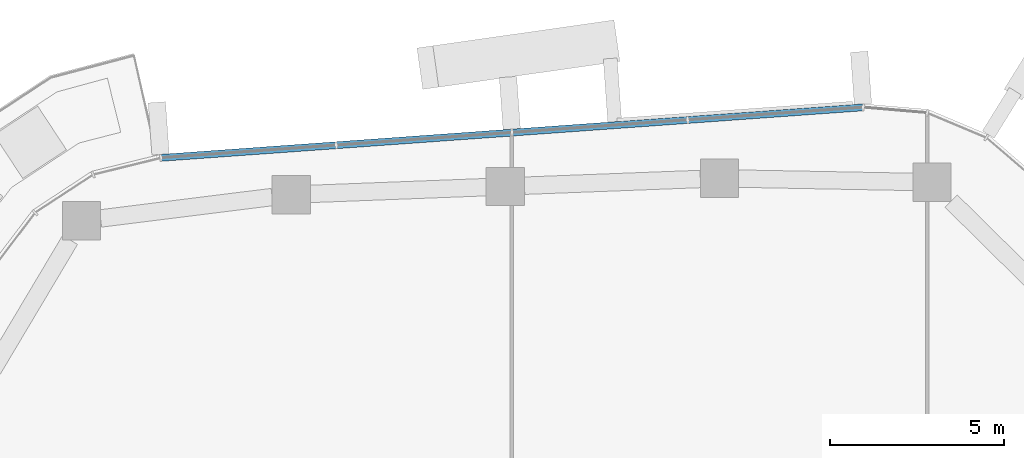
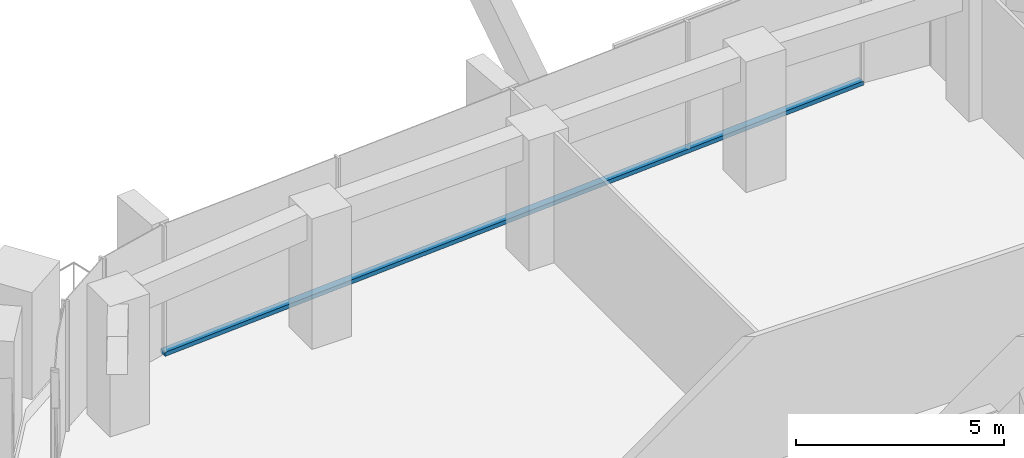
# One storey, part 7 of 20: 1 member, 1 element without a shape of its own.
"""IFC4 building model written with IfcOpenShell, lengths in metres."""

from ifc_helpers import new_model, si_unit, direction, frame, origin, origin_2d, place, context, subcontext, project, spatial, rectangle, extrude, material, layer, layer_set, material_profile, profile_set, type_object, element, aggregate, save


model = new_model("IFC4")

# Units and contexts
model_context = context("Model", 3, precision=1e-05, world=origin(), true_north=direction((0.0, 1.0)))
body_context = subcontext(model_context, "Body", "Model", "MODEL_VIEW")
ifc_project = project(units=[si_unit("LENGTHUNIT", "METRE"), si_unit("AREAUNIT", "SQUARE_METRE"), si_unit("VOLUMEUNIT", "CUBIC_METRE"), si_unit("PLANEANGLEUNIT", "RADIAN"), si_unit("MASSUNIT", "GRAM", prefix="KILO")], contexts=[model_context])

# Site, building, storey
site_placement = place(None, origin())
site = spatial("IfcSite", under=ifc_project, at=site_placement, CompositionType="ELEMENT")
building_placement = place(site_placement, origin())
building = spatial("IfcBuilding", under=site, at=building_placement, Name="Dongbaek Canopy Tower", CompositionType="ELEMENT")
storey_placement = place(building_placement, frame((0.0, 0.0, 266.39990234375)))
storey = spatial("IfcBuildingStorey", under=building, at=storey_placement, Name="L56", CompositionType="ELEMENT", Elevation=266.39990234375)

# Curtain wall, member
ifc_material_1 = material(Name="Aluminium 6063-T6 pale anodised", Category="aluminium")
ifc_layer = layer(ifc_material_1, 0.199951171875)
ifc_layer_set = layer_set([ifc_layer], Name="CW-1 unitised tower curtain wall")
curtain_wall_type = type_object("IfcCurtainWallType", Name="CW-1 unitised tower curtain wall", PredefinedType="NOTDEFINED", material=ifc_layer_set)
curtain_wall_placement = place(storey_placement, origin())
curtain_wall = element("IfcCurtainWall", 1, at=curtain_wall_placement, inside=storey, type_object=curtain_wall_type, Name="CW-1 curtain wall F1.1", PredefinedType="NOTDEFINED")
ifc_material_2 = material(Name="Aluminium 6063-T6 pale anodised", Category="aluminium")
ifc_material_profile = material_profile(ifc_material_2, rectangle(XDim=0.199951171875, YDim=0.1201171875, at=origin_2d()), Name="CW-1 transom 120 x 200")
ifc_profile_set = profile_set([ifc_material_profile], Name="Aluminium 6063-T6 pale anodised")
member_type = type_object("IfcMemberType", Name="CW-1 transom 120 x 200", PredefinedType="USERDEFINED", material=ifc_profile_set)
member_placement = place(storey_placement, frame((9.010986328125, 26.750732421875, 0.06005859375), z_axis=(-0.997423406214, -0.071739450345, 0.0), x_axis=(0.071739450345, -0.997423406214, 0.0)))
member = element("IfcMember", 2, at=member_placement, type_object=member_type, Name="CW-1 transom F1.1.1", ObjectType="TRANSOM", PredefinedType="USERDEFINED", context=body_context, shape_type="SweptSolid", body=[
    extrude(rectangle(XDim=0.199951171875, YDim=0.1201171875, at=origin_2d()), origin(), (0.0, 0.0, 1.0), 20.224853515625),
])
aggregate(curtain_wall, [member])

save(model, "model.ifc")
